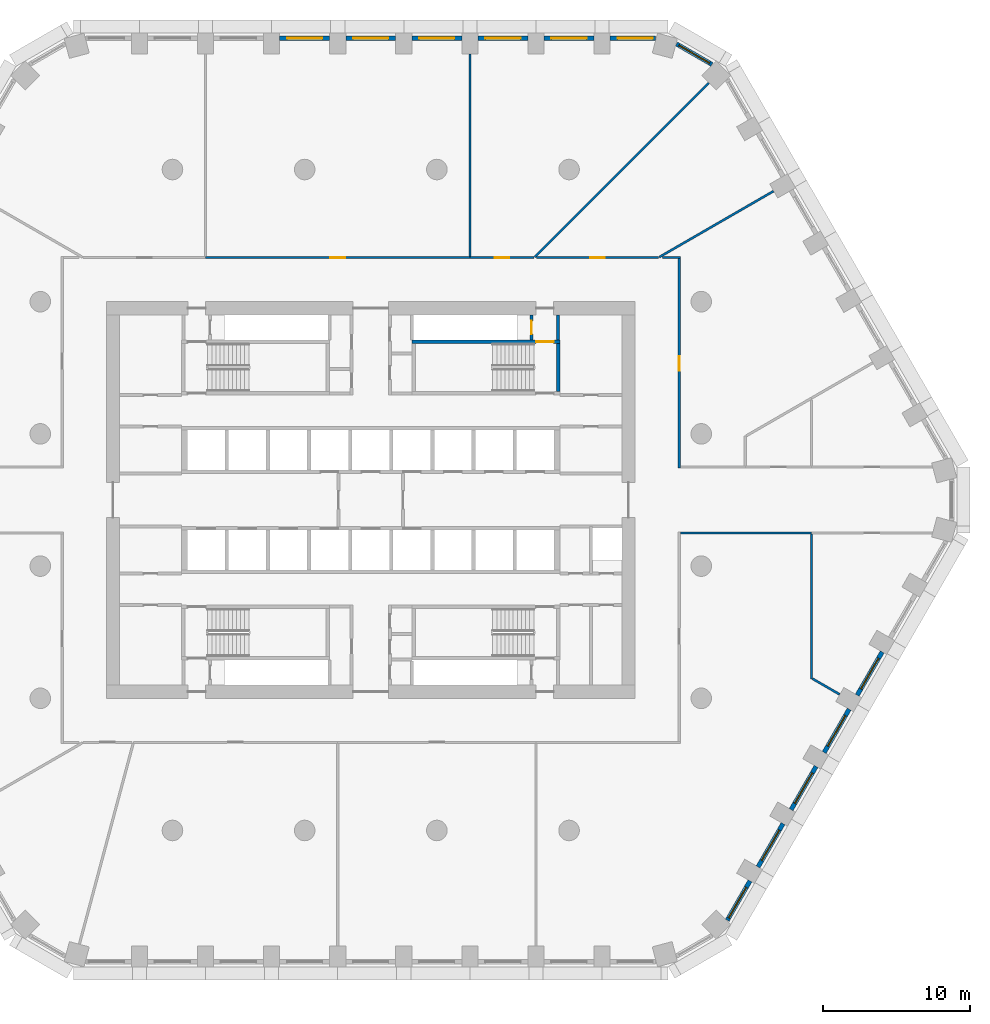
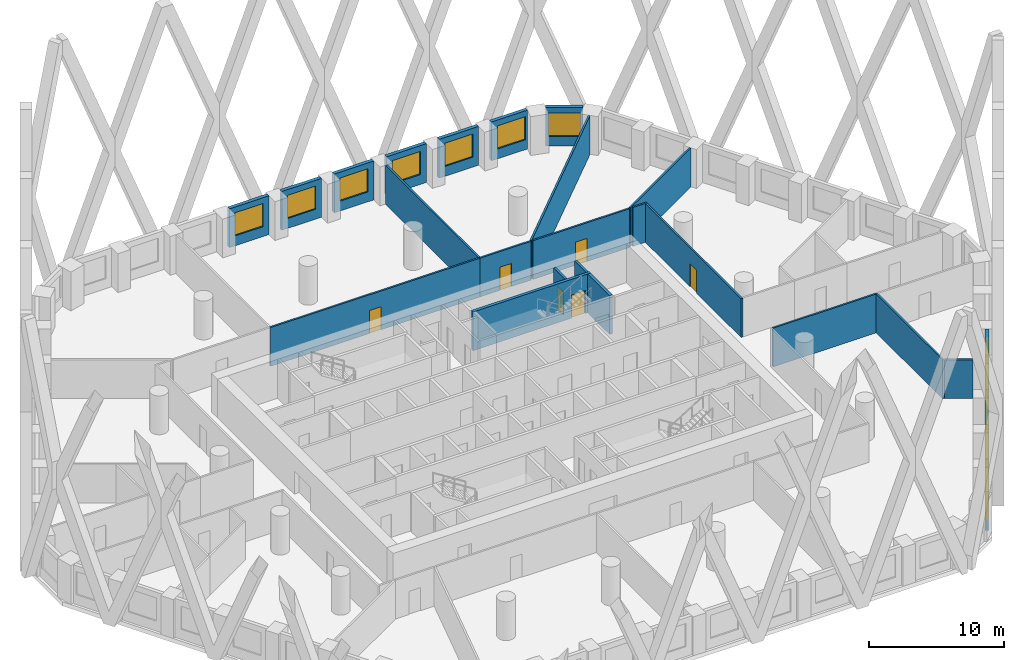
# One storey, part 7 of 18: 27 walls, 12 windows, 6 doors, 18 openings.
"""IFC4 building model written with IfcOpenShell, lengths in metres."""

import ifcopenshell
import ifcopenshell.guid

model = None  # the IFC model being written
_history = None  # IfcOwnerHistory: only IFC2X3 demands one
_inside = {}  # id of a spatial element -> (the spatial element, [elements in it])
_under = {}  # id of a project, library or spatial element -> (it, [spatial elements below it])
_declared = {}  # id of a project -> (the project, [libraries it declares])
_typed = {}  # id of a type object -> (the type object, [elements of that type])
_made_of = {}  # id of a material, layer set ... -> (it, [elements and type objects made of it])


def new_model(schema):
    """Start an empty IFC model of exactly this schema.

    Asked for "IFC4X3", IfcOpenShell would pick the latest addendum, in which some entities
    have other attributes; the version numbers below select the first issue.
    IFC2X3 requires an IfcOwnerHistory on every rooted entity: one is made here for all.
    """
    global model, _history
    if schema == "IFC4X3":
        model = ifcopenshell.file(schema_version=(4, 3, 0, 0))
    else:
        model = ifcopenshell.file(schema=schema)
    _inside.clear()
    _under.clear()
    _declared.clear()
    _typed.clear()
    _made_of.clear()
    _history = None
    if model.schema == "IFC2X3":
        org = make("IfcOrganization", Name="unknown")
        user = make(
            "IfcPersonAndOrganization",
            ThePerson=make("IfcPerson", FamilyName="unknown"),
            TheOrganization=org,
        )
        app = make(
            "IfcApplication",
            ApplicationDeveloper=org,
            Version="unknown",
            ApplicationFullName="unknown",
            ApplicationIdentifier="unknown",
        )
        _history = make(
            "IfcOwnerHistory",
            OwningUser=user,
            OwningApplication=app,
            ChangeAction="ADDED",
            CreationDate=0,
        )
    return model


def make(cls, **values):
    """One entity of the class cls with the attributes given. An attribute that is None is left unset."""
    return model.create_entity(
        cls, **{name: value for name, value in values.items() if value is not None}
    )


def rooted(cls, **values):
    """An entity with a GlobalId (a new one), such as an element, a storey or a relation."""
    return make(cls, GlobalId=ifcopenshell.guid.new(), OwnerHistory=_history, **values)


def si_unit(unit_type, name, prefix=None):
    """IfcSIUnit, for example si_unit("LENGTHUNIT", "METRE", prefix="MILLI")."""
    return make("IfcSIUnit", UnitType=unit_type, Prefix=prefix, Name=name)


def assignment(units):
    """IfcUnitAssignment: the units of a project."""
    return None if units is None else make("IfcUnitAssignment", Units=units)


def point(xyz):
    """IfcCartesianPoint."""
    return None if xyz is None else make("IfcCartesianPoint", Coordinates=xyz)


def direction(xyz):
    """IfcDirection."""
    return None if xyz is None else make("IfcDirection", DirectionRatios=xyz)


def frame(location, z_axis=None, x_axis=None):
    """IfcAxis2Placement3D, a coordinate frame: its origin and axes. An axis left out is left unset."""
    return make(
        "IfcAxis2Placement3D",
        Location=point(location),
        Axis=direction(z_axis),
        RefDirection=direction(x_axis),
    )


def frame_2d(location, x_axis=None):
    """IfcAxis2Placement2D, a coordinate frame in the plane: its origin and x axis."""
    return make(
        "IfcAxis2Placement2D", Location=point(location), RefDirection=direction(x_axis)
    )


def origin():
    """The frame at (0, 0, 0) with its axes left unset."""
    return frame((0.0, 0.0, 0.0))


def place(relative_to, where):
    """IfcLocalPlacement: puts the frame where relative to a parent placement (None: the world)."""
    return make(
        "IfcLocalPlacement", PlacementRelTo=relative_to, RelativePlacement=where
    )


def context(
    kind, dimensions, precision=None, world=None, true_north=None, identifier=None
):
    """IfcGeometricRepresentationContext, for example the 3D "Model" context."""
    return make(
        "IfcGeometricRepresentationContext",
        ContextIdentifier=identifier,
        ContextType=kind,
        CoordinateSpaceDimension=dimensions,
        Precision=precision,
        WorldCoordinateSystem=world,
        TrueNorth=true_north,
    )


def subcontext(parent, identifier, kind, view, scale=None):
    """IfcGeometricRepresentationSubContext, for example "Body" below "Model"."""
    return make(
        "IfcGeometricRepresentationSubContext",
        ContextIdentifier=identifier,
        ContextType=kind,
        ParentContext=parent,
        TargetScale=scale,
        TargetView=view,
    )


def project(units=None, contexts=None):
    """IfcProject with its units and contexts."""
    return rooted(
        "IfcProject",
        Name="project",
        RepresentationContexts=contexts,
        UnitsInContext=assignment(units),
    )


def spatial(cls, under=None, at=None, **own):
    """A site, building, storey or space (cls), placed at a placement, below another one or the project."""
    s = rooted(cls, ObjectPlacement=at, **own)
    if under is not None:
        _under.setdefault(under.id(), (under, []))[1].append(s)
    return s


def profile(cls, at=None, kind="AREA", **sizes):
    """A parametric profile (cls). Its sizes go by their IFC names, for example OverallWidth=200.0."""
    return make(cls, ProfileType=kind, Position=at, **sizes)


def rectangle(**sizes):
    """IfcRectangleProfileDef."""
    return profile("IfcRectangleProfileDef", **sizes)


def extrude(swept, where, along, depth):
    """IfcExtrudedAreaSolid: the profile swept, set in the frame where, extruded along a direction by depth."""
    return make(
        "IfcExtrudedAreaSolid",
        SweptArea=swept,
        Position=where,
        ExtrudedDirection=direction(along),
        Depth=depth,
    )


def shape(context_of_items, identifier, shape_type, items):
    """IfcShapeRepresentation: the items that make up one representation, for example the "Body"."""
    return make(
        "IfcShapeRepresentation",
        ContextOfItems=context_of_items,
        RepresentationIdentifier=identifier,
        RepresentationType=shape_type,
        Items=items,
    )


def material(Name=None, Category=None):
    """IfcMaterial."""
    return make("IfcMaterial", Name=Name, Category=Category)


def layer(
    of_material, thickness, ventilated=None, Name=None, Category=None, Priority=None
):
    """IfcMaterialLayer: one layer of a wall or slab, of a material (None: an air gap)."""
    return make(
        "IfcMaterialLayer",
        Material=of_material,
        LayerThickness=thickness,
        IsVentilated=ventilated,
        Name=Name,
        Category=Category,
        Priority=Priority,
    )


def layer_set(layers, Name=None):
    """IfcMaterialLayerSet."""
    return make("IfcMaterialLayerSet", MaterialLayers=layers, LayerSetName=Name)


def made_of(thing, what):
    """Note that an element or type object is made of a material, layer set ...; save() writes the relation."""
    if what is not None:
        _made_of.setdefault(what.id(), (what, []))[1].append(thing)
    return thing


def type_object(cls, material=None, **own):
    """A type object (cls), such as IfcWallType, which elements share."""
    return made_of(rooted(cls, **own), material)


def element(
    cls,
    number,
    at=None,
    inside=None,
    cuts=None,
    type_object=None,
    material=None,
    context=None,
    identifier="Body",
    shape_type=None,
    held_by="IfcProductDefinitionShape",
    body=None,
    shapes=None,
    **own,
):
    """One element of the class cls, such as IfcWall. Its Tag is "e" and its number.

    at: its placement. inside: the storey or other place that contains it. cuts: it is an
    opening in that element (IfcRelVoidsElement). A single representation is given by context,
    identifier, shape_type and body (its items); several are given by shapes. held_by: the class
    of the entity that holds the representations. save() writes the other relations.
    """
    e = rooted(cls, Tag="e%d" % number, ObjectPlacement=at, **own)
    if body is not None:
        shapes = [shape(context, identifier, shape_type, body)]
    if shapes is not None:
        e.Representation = make(held_by, Representations=shapes)
    if inside is not None:
        _inside.setdefault(inside.id(), (inside, []))[1].append(e)
    if cuts is not None:
        rooted(
            "IfcRelVoidsElement", RelatingBuildingElement=cuts, RelatedOpeningElement=e
        )
    if type_object is not None:
        _typed.setdefault(type_object.id(), (type_object, []))[1].append(e)
    return made_of(e, material)


def fill(opening, filler):
    """IfcRelFillsElement: the door or window that sits in an opening."""
    return rooted(
        "IfcRelFillsElement",
        RelatingOpeningElement=opening,
        RelatedBuildingElement=filler,
    )


def aggregate(whole, parts):
    """IfcRelAggregates: a whole, such as a stair, and the parts it consists of."""
    return rooted("IfcRelAggregates", RelatingObject=whole, RelatedObjects=parts)


def save(model, path):
    """Write the relations noted so far, then the file.

    IfcRelAggregates (storeys below a building ...), IfcRelContainedInSpatialStructure (elements
    in a storey), IfcRelDefinesByType, IfcRelAssociatesMaterial and IfcRelDeclares: one each for
    every whole, place, type object, material and project.
    """
    for whole, parts in _under.values():
        aggregate(whole, parts)
    for where, things in _inside.values():
        rooted(
            "IfcRelContainedInSpatialStructure",
            RelatedElements=things,
            RelatingStructure=where,
        )
    for kind, things in _typed.values():
        rooted("IfcRelDefinesByType", RelatedObjects=things, RelatingType=kind)
    for what, things in _made_of.values():
        rooted("IfcRelAssociatesMaterial", RelatedObjects=things, RelatingMaterial=what)
    for by, libraries in _declared.values():
        rooted("IfcRelDeclares", RelatingContext=by, RelatedDefinitions=libraries)
    model.write(path)


model = new_model("IFC4")

# Units and contexts
model_context = context("Model", 3, precision=1e-05, world=origin(), true_north=direction((0.0, 1.0)))
body_context = subcontext(model_context, "Body", "Model", "MODEL_VIEW")
ifc_project = project(units=[si_unit("LENGTHUNIT", "METRE"), si_unit("AREAUNIT", "SQUARE_METRE"), si_unit("VOLUMEUNIT", "CUBIC_METRE"), si_unit("PLANEANGLEUNIT", "RADIAN"), si_unit("MASSUNIT", "GRAM", prefix="KILO")], contexts=[model_context])

# Site, building, storey
site_placement = place(None, origin())
site = spatial("IfcSite", under=ifc_project, at=site_placement, CompositionType="ELEMENT")
building_placement = place(site_placement, origin())
building = spatial("IfcBuilding", under=site, at=building_placement, Name="Dhurran Vertical Campus", CompositionType="ELEMENT")
storey_placement = place(building_placement, frame((0.0, 0.0, 30.0)))
storey = spatial("IfcBuildingStorey", under=building, at=storey_placement, Name="L06", CompositionType="ELEMENT", Elevation=30.0)

# Wall, opening, window
ifc_material_1 = material(Name="Precast concrete C50/60", Category="concrete")
ifc_layer_1 = layer(ifc_material_1, 0.300048828125)
ifc_layer_set_1 = layer_set([ifc_layer_1], Name="Precast concrete C50/60")
wall_type_1 = type_object("IfcWallType", Name="Precast spandrel wall 300", PredefinedType="SOLIDWALL", material=ifc_layer_set_1)
wall_1_placement = place(storey_placement, frame((24.2734375, -28.611083984375, 0.0), z_axis=(0.0, 0.0, 1.0), x_axis=(0.499995950774, 0.866027741594, 0.0)))
wall_1 = element("IfcWall", 1, at=wall_1_placement, inside=storey, type_object=wall_type_1, Name="EW1 L06.10", PredefinedType="SOLIDWALL", context=body_context, shape_type="SweptSolid", body=[
    extrude(rectangle(XDim=3.0908203125, YDim=0.300048828125, at=frame_2d((1.54541015625, 0.0))), origin(), (0.0, 0.0, 1.0), 3.52490234375),
])
opening_1_placement = place(wall_1_placement, frame((0.191162109375, 0.0, 0.89990234375)))
opening_1 = element("IfcOpeningElement", 2, at=opening_1_placement, cuts=wall_1, Name="Opening WT1", PredefinedType="OPENING", context=body_context, shape_type="SweptSolid", body=[
    extrude(rectangle(XDim=2.39990234375, YDim=2.10009765625, at=frame_2d((1.199951171875, 1.050048828125))), frame((0.0, 0.159912109375, 0.0), z_axis=(0.0, -1.0, 0.0), x_axis=(1.0, 0.0, 0.0)), (0.0, 0.0, 1.0), 0.320068359375),
])
ifc_material_2 = material(Name="Aluminium frame with solar-control glass", Category="aluminium")
window_type = type_object("IfcWindowType", Name="Punched window 2400 x 2100", PartitioningType="SINGLE_PANEL", PredefinedType="WINDOW", material=ifc_material_2)
window_1_placement = place(opening_1_placement, origin())
window_1 = element("IfcWindow", 3, at=window_1_placement, inside=storey, type_object=window_type, Name="WT1 L06.10", OverallHeight=2.10009765625, OverallWidth=2.39990234375, PartitioningType="SINGLE_PANEL", PredefinedType="WINDOW", context=body_context, shape_type="SweptSolid", body=[
    extrude(rectangle(XDim=2.39990234375, YDim=2.10009765625, at=frame_2d((1.199951171875, 1.050048828125))), frame((0.0, 0.030029296875, 0.0), z_axis=(0.0, -1.0, 0.0), x_axis=(1.0, 0.0, 0.0)), (0.0, 0.0, 1.0), 0.06005859375),
])
fill(opening_1, window_1)

wall_2_placement = place(storey_placement, frame((26.369384765625, -24.98095703125, 0.0), z_axis=(0.0, 0.0, 1.0), x_axis=(0.499993955907, 0.866028893315, 0.0)))
wall_2 = element("IfcWall", 4, at=wall_2_placement, inside=storey, type_object=wall_type_1, Name="EW1 L06.11", PredefinedType="SOLIDWALL", context=body_context, shape_type="SweptSolid", body=[
    extrude(rectangle(XDim=3.39892578125, YDim=0.300048828125, at=frame_2d((1.699462890625, 0.0))), origin(), (0.0, 0.0, 1.0), 3.52490234375),
])
opening_2_placement = place(wall_2_placement, frame((0.49951171875, 0.0, 0.89990234375)))
opening_2 = element("IfcOpeningElement", 5, at=opening_2_placement, cuts=wall_2, Name="Opening WT1", PredefinedType="OPENING", context=body_context, shape_type="SweptSolid", body=[
    extrude(rectangle(XDim=2.39990234375, YDim=2.10009765625, at=frame_2d((1.199951171875, 1.050048828125))), frame((0.0, 0.159912109375, 0.0), z_axis=(0.0, -1.0, 0.0), x_axis=(1.0, 0.0, 0.0)), (0.0, 0.0, 1.0), 0.320068359375),
])
window_2_placement = place(opening_2_placement, origin())
window_2 = element("IfcWindow", 6, at=window_2_placement, inside=storey, type_object=window_type, Name="WT1 L06.11", OverallHeight=2.10009765625, OverallWidth=2.39990234375, PartitioningType="SINGLE_PANEL", PredefinedType="WINDOW", context=body_context, shape_type="SweptSolid", body=[
    extrude(rectangle(XDim=2.39990234375, YDim=2.10009765625, at=frame_2d((1.199951171875, 1.050048828125))), frame((0.0, 0.030029296875, 0.0), z_axis=(0.0, -1.0, 0.0), x_axis=(1.0, 0.0, 0.0)), (0.0, 0.0, 1.0), 0.06005859375),
])
fill(opening_2, window_2)

wall_3_placement = place(storey_placement, frame((28.619384765625, -21.083740234375, 0.0), z_axis=(0.0, 0.0, 1.0), x_axis=(0.499993955907, 0.866028893315, 0.0)))
wall_3 = element("IfcWall", 7, at=wall_3_placement, inside=storey, type_object=wall_type_1, Name="EW1 L06.12", PredefinedType="SOLIDWALL", context=body_context, shape_type="SweptSolid", body=[
    extrude(rectangle(XDim=3.39892578125, YDim=0.300048828125, at=frame_2d((1.699462890625, 0.0))), origin(), (0.0, 0.0, 1.0), 3.52490234375),
])
opening_3_placement = place(wall_3_placement, frame((0.49951171875, 0.0, 0.89990234375)))
opening_3 = element("IfcOpeningElement", 8, at=opening_3_placement, cuts=wall_3, Name="Opening WT1", PredefinedType="OPENING", context=body_context, shape_type="SweptSolid", body=[
    extrude(rectangle(XDim=2.39990234375, YDim=2.10009765625, at=frame_2d((1.199951171875, 1.050048828125))), frame((0.0, 0.159912109375, 0.0), z_axis=(0.0, -1.0, 0.0), x_axis=(1.0, 0.0, 0.0)), (0.0, 0.0, 1.0), 0.320068359375),
])
window_3_placement = place(opening_3_placement, origin())
window_3 = element("IfcWindow", 9, at=window_3_placement, inside=storey, type_object=window_type, Name="WT1 L06.12", OverallHeight=2.10009765625, OverallWidth=2.39990234375, PartitioningType="SINGLE_PANEL", PredefinedType="WINDOW", context=body_context, shape_type="SweptSolid", body=[
    extrude(rectangle(XDim=2.39990234375, YDim=2.10009765625, at=frame_2d((1.199951171875, 1.050048828125))), frame((0.0, 0.030029296875, 0.0), z_axis=(0.0, -1.0, 0.0), x_axis=(1.0, 0.0, 0.0)), (0.0, 0.0, 1.0), 0.06005859375),
])
fill(opening_3, window_3)

wall_4_placement = place(storey_placement, frame((30.869384765625, -17.186767578125, 0.0), z_axis=(0.0, 0.0, 1.0), x_axis=(0.499993955907, 0.866028893315, 0.0)))
wall_4 = element("IfcWall", 10, at=wall_4_placement, inside=storey, type_object=wall_type_1, Name="EW1 L06.13", PredefinedType="SOLIDWALL", context=body_context, shape_type="SweptSolid", body=[
    extrude(rectangle(XDim=3.39892578125, YDim=0.300048828125, at=frame_2d((1.699462890625, 0.0))), origin(), (0.0, 0.0, 1.0), 3.52490234375),
])
opening_4_placement = place(wall_4_placement, frame((0.49951171875, 0.0, 0.89990234375)))
opening_4 = element("IfcOpeningElement", 11, at=opening_4_placement, cuts=wall_4, Name="Opening WT1", PredefinedType="OPENING", context=body_context, shape_type="SweptSolid", body=[
    extrude(rectangle(XDim=2.39990234375, YDim=2.10009765625, at=frame_2d((1.199951171875, 1.050048828125))), frame((0.0, 0.159912109375, 0.0), z_axis=(0.0, -1.0, 0.0), x_axis=(1.0, 0.0, 0.0)), (0.0, 0.0, 1.0), 0.320068359375),
])
window_4_placement = place(opening_4_placement, origin())
window_4 = element("IfcWindow", 12, at=window_4_placement, inside=storey, type_object=window_type, Name="WT1 L06.13", OverallHeight=2.10009765625, OverallWidth=2.39990234375, PartitioningType="SINGLE_PANEL", PredefinedType="WINDOW", context=body_context, shape_type="SweptSolid", body=[
    extrude(rectangle(XDim=2.39990234375, YDim=2.10009765625, at=frame_2d((1.199951171875, 1.050048828125))), frame((0.0, 0.030029296875, 0.0), z_axis=(0.0, -1.0, 0.0), x_axis=(1.0, 0.0, 0.0)), (0.0, 0.0, 1.0), 0.06005859375),
])
fill(opening_4, window_4)

wall_5_placement = place(storey_placement, frame((33.119384765625, -13.28955078125, 0.0), z_axis=(0.0, 0.0, 1.0), x_axis=(0.499993955907, 0.866028893315, 0.0)))
wall_5 = element("IfcWall", 13, at=wall_5_placement, inside=storey, type_object=wall_type_1, Name="EW1 L06.14", PredefinedType="SOLIDWALL", context=body_context, shape_type="SweptSolid", body=[
    extrude(rectangle(XDim=3.39892578125, YDim=0.300048828125, at=frame_2d((1.699462890625, 0.0))), origin(), (0.0, 0.0, 1.0), 3.52490234375),
])
opening_5_placement = place(wall_5_placement, frame((0.49951171875, 0.0, 0.89990234375)))
opening_5 = element("IfcOpeningElement", 14, at=opening_5_placement, cuts=wall_5, Name="Opening WT1", PredefinedType="OPENING", context=body_context, shape_type="SweptSolid", body=[
    extrude(rectangle(XDim=2.39990234375, YDim=2.10009765625, at=frame_2d((1.199951171875, 1.050048828125))), frame((0.0, 0.159912109375, 0.0), z_axis=(0.0, -1.0, 0.0), x_axis=(1.0, 0.0, 0.0)), (0.0, 0.0, 1.0), 0.320068359375),
])
window_5_placement = place(opening_5_placement, origin())
window_5 = element("IfcWindow", 15, at=window_5_placement, inside=storey, type_object=window_type, Name="WT1 L06.14", OverallHeight=2.10009765625, OverallWidth=2.39990234375, PartitioningType="SINGLE_PANEL", PredefinedType="WINDOW", context=body_context, shape_type="SweptSolid", body=[
    extrude(rectangle(XDim=2.39990234375, YDim=2.10009765625, at=frame_2d((1.199951171875, 1.050048828125))), frame((0.0, 0.030029296875, 0.0), z_axis=(0.0, -1.0, 0.0), x_axis=(1.0, 0.0, 0.0)), (0.0, 0.0, 1.0), 0.06005859375),
])
fill(opening_5, window_5)

wall_6_placement = place(storey_placement, frame((23.228271484375, 29.656005859375, 0.0), z_axis=(0.0, 0.0, 1.0), x_axis=(-0.866020456713, 0.500008568482, 0.0)))
wall_6 = element("IfcWall", 16, at=wall_6_placement, inside=storey, type_object=wall_type_1, Name="EW1 L06.25", PredefinedType="SOLIDWALL", context=body_context, shape_type="SweptSolid", body=[
    extrude(rectangle(XDim=2.7822265625, YDim=0.300048828125, at=frame_2d((1.39111328125, 0.0))), origin(), (0.0, 0.0, 1.0), 3.52490234375),
])
opening_6_placement = place(wall_6_placement, frame((0.191162109375, 0.0, 0.89990234375)))
opening_6 = element("IfcOpeningElement", 17, at=opening_6_placement, cuts=wall_6, Name="Opening WT1", PredefinedType="OPENING", context=body_context, shape_type="SweptSolid", body=[
    extrude(rectangle(XDim=2.39990234375, YDim=2.10009765625, at=frame_2d((1.199951171875, 1.050048828125))), frame((0.0, 0.159912109375, 0.0), z_axis=(0.0, -1.0, 0.0), x_axis=(1.0, 0.0, 0.0)), (0.0, 0.0, 1.0), 0.320068359375),
])
window_6_placement = place(opening_6_placement, origin())
window_6 = element("IfcWindow", 18, at=window_6_placement, inside=storey, type_object=window_type, Name="WT1 L06.25", OverallHeight=2.10009765625, OverallWidth=2.39990234375, PartitioningType="SINGLE_PANEL", PredefinedType="WINDOW", context=body_context, shape_type="SweptSolid", body=[
    extrude(rectangle(XDim=2.39990234375, YDim=2.10009765625, at=frame_2d((1.199951171875, 1.050048828125))), frame((0.0, 0.030029296875, 0.0), z_axis=(0.0, -1.0, 0.0), x_axis=(1.0, 0.0, 0.0)), (0.0, 0.0, 1.0), 0.06005859375),
])
fill(opening_6, window_6)

wall_7_placement = place(storey_placement, frame((19.39111328125, 31.4296875, 0.0), z_axis=(0.0, 0.0, 1.0), x_axis=(-1.0, 0.0, 0.0)))
wall_7 = element("IfcWall", 19, at=wall_7_placement, inside=storey, type_object=wall_type_1, Name="EW1 L06.26", PredefinedType="SOLIDWALL", context=body_context, shape_type="SweptSolid", body=[
    extrude(rectangle(XDim=3.090576171875, YDim=0.300048828125, at=frame_2d((1.54541015625, 0.0))), origin(), (0.0, 0.0, 1.0), 3.52490234375),
])
opening_7_placement = place(wall_7_placement, frame((0.191162109375, 0.0, 0.89990234375)))
opening_7 = element("IfcOpeningElement", 20, at=opening_7_placement, cuts=wall_7, Name="Opening WT1", PredefinedType="OPENING", context=body_context, shape_type="SweptSolid", body=[
    extrude(rectangle(XDim=2.39990234375, YDim=2.10009765625, at=frame_2d((1.199951171875, 1.050048828125))), frame((0.0, 0.159912109375, 0.0), z_axis=(0.0, -1.0, 0.0), x_axis=(1.0, 0.0, 0.0)), (0.0, 0.0, 1.0), 0.320068359375),
])
window_7_placement = place(opening_7_placement, origin())
window_7 = element("IfcWindow", 21, at=window_7_placement, inside=storey, type_object=window_type, Name="WT1 L06.26", OverallHeight=2.10009765625, OverallWidth=2.39990234375, PartitioningType="SINGLE_PANEL", PredefinedType="WINDOW", context=body_context, shape_type="SweptSolid", body=[
    extrude(rectangle(XDim=2.39990234375, YDim=2.10009765625, at=frame_2d((1.199951171875, 1.050048828125))), frame((0.0, 0.030029296875, 0.0), z_axis=(0.0, -1.0, 0.0), x_axis=(1.0, 0.0, 0.0)), (0.0, 0.0, 1.0), 0.06005859375),
])
fill(opening_7, window_7)

wall_8_placement = place(storey_placement, frame((15.199462890625, 31.4296875, 0.0), z_axis=(0.0, 0.0, 1.0), x_axis=(-1.0, 0.0, 0.0)))
wall_8 = element("IfcWall", 22, at=wall_8_placement, inside=storey, type_object=wall_type_1, Name="EW1 L06.27", PredefinedType="SOLIDWALL", context=body_context, shape_type="SweptSolid", body=[
    extrude(rectangle(XDim=3.39892578125, YDim=0.300048828125, at=frame_2d((1.699462890625, 0.0))), origin(), (0.0, 0.0, 1.0), 3.52490234375),
])
opening_8_placement = place(wall_8_placement, frame((0.49951171875, 0.0, 0.89990234375)))
opening_8 = element("IfcOpeningElement", 23, at=opening_8_placement, cuts=wall_8, Name="Opening WT1", PredefinedType="OPENING", context=body_context, shape_type="SweptSolid", body=[
    extrude(rectangle(XDim=2.39990234375, YDim=2.10009765625, at=frame_2d((1.199951171875, 1.050048828125))), frame((0.0, 0.159912109375, 0.0), z_axis=(0.0, -1.0, 0.0), x_axis=(1.0, 0.0, 0.0)), (0.0, 0.0, 1.0), 0.320068359375),
])
window_8_placement = place(opening_8_placement, origin())
window_8 = element("IfcWindow", 24, at=window_8_placement, inside=storey, type_object=window_type, Name="WT1 L06.27", OverallHeight=2.10009765625, OverallWidth=2.39990234375, PartitioningType="SINGLE_PANEL", PredefinedType="WINDOW", context=body_context, shape_type="SweptSolid", body=[
    extrude(rectangle(XDim=2.39990234375, YDim=2.10009765625, at=frame_2d((1.199951171875, 1.050048828125))), frame((0.0, 0.030029296875, 0.0), z_axis=(0.0, -1.0, 0.0), x_axis=(1.0, 0.0, 0.0)), (0.0, 0.0, 1.0), 0.06005859375),
])
fill(opening_8, window_8)

wall_9_placement = place(storey_placement, frame((10.699462890625, 31.4296875, 0.0), z_axis=(0.0, 0.0, 1.0), x_axis=(-1.0, 0.0, 0.0)))
wall_9 = element("IfcWall", 25, at=wall_9_placement, inside=storey, type_object=wall_type_1, Name="EW1 L06.28", PredefinedType="SOLIDWALL", context=body_context, shape_type="SweptSolid", body=[
    extrude(rectangle(XDim=3.39892578125, YDim=0.300048828125, at=frame_2d((1.699462890625, 0.0))), origin(), (0.0, 0.0, 1.0), 3.52490234375),
])
opening_9_placement = place(wall_9_placement, frame((0.49951171875, 0.0, 0.89990234375)))
opening_9 = element("IfcOpeningElement", 26, at=opening_9_placement, cuts=wall_9, Name="Opening WT1", PredefinedType="OPENING", context=body_context, shape_type="SweptSolid", body=[
    extrude(rectangle(XDim=2.39990234375, YDim=2.10009765625, at=frame_2d((1.199951171875, 1.050048828125))), frame((0.0, 0.159912109375, 0.0), z_axis=(0.0, -1.0, 0.0), x_axis=(1.0, 0.0, 0.0)), (0.0, 0.0, 1.0), 0.320068359375),
])
window_9_placement = place(opening_9_placement, origin())
window_9 = element("IfcWindow", 27, at=window_9_placement, inside=storey, type_object=window_type, Name="WT1 L06.28", OverallHeight=2.10009765625, OverallWidth=2.39990234375, PartitioningType="SINGLE_PANEL", PredefinedType="WINDOW", context=body_context, shape_type="SweptSolid", body=[
    extrude(rectangle(XDim=2.39990234375, YDim=2.10009765625, at=frame_2d((1.199951171875, 1.050048828125))), frame((0.0, 0.030029296875, 0.0), z_axis=(0.0, -1.0, 0.0), x_axis=(1.0, 0.0, 0.0)), (0.0, 0.0, 1.0), 0.06005859375),
])
fill(opening_9, window_9)

wall_10_placement = place(storey_placement, frame((6.199462890625, 31.4296875, 0.0), z_axis=(0.0, 0.0, 1.0), x_axis=(-1.0, 0.0, 0.0)))
wall_10 = element("IfcWall", 28, at=wall_10_placement, inside=storey, type_object=wall_type_1, Name="EW1 L06.29", PredefinedType="SOLIDWALL", context=body_context, shape_type="SweptSolid", body=[
    extrude(rectangle(XDim=3.39892578125, YDim=0.300048828125, at=frame_2d((1.699462890625, 0.0))), origin(), (0.0, 0.0, 1.0), 3.52490234375),
])
opening_10_placement = place(wall_10_placement, frame((0.49951171875, 0.0, 0.89990234375)))
opening_10 = element("IfcOpeningElement", 29, at=opening_10_placement, cuts=wall_10, Name="Opening WT1", PredefinedType="OPENING", context=body_context, shape_type="SweptSolid", body=[
    extrude(rectangle(XDim=2.39990234375, YDim=2.10009765625, at=frame_2d((1.199951171875, 1.050048828125))), frame((0.0, 0.159912109375, 0.0), z_axis=(0.0, -1.0, 0.0), x_axis=(1.0, 0.0, 0.0)), (0.0, 0.0, 1.0), 0.320068359375),
])
window_10_placement = place(opening_10_placement, origin())
window_10 = element("IfcWindow", 30, at=window_10_placement, inside=storey, type_object=window_type, Name="WT1 L06.29", OverallHeight=2.10009765625, OverallWidth=2.39990234375, PartitioningType="SINGLE_PANEL", PredefinedType="WINDOW", context=body_context, shape_type="SweptSolid", body=[
    extrude(rectangle(XDim=2.39990234375, YDim=2.10009765625, at=frame_2d((1.199951171875, 1.050048828125))), frame((0.0, 0.030029296875, 0.0), z_axis=(0.0, -1.0, 0.0), x_axis=(1.0, 0.0, 0.0)), (0.0, 0.0, 1.0), 0.06005859375),
])
fill(opening_10, window_10)

wall_11_placement = place(storey_placement, frame((1.699462890625, 31.4296875, 0.0), z_axis=(0.0, 0.0, 1.0), x_axis=(-1.0, 0.0, 0.0)))
wall_11 = element("IfcWall", 31, at=wall_11_placement, inside=storey, type_object=wall_type_1, Name="EW1 L06.30", PredefinedType="SOLIDWALL", context=body_context, shape_type="SweptSolid", body=[
    extrude(rectangle(XDim=3.39892578125, YDim=0.300048828125, at=frame_2d((1.699462890625, 0.0))), origin(), (0.0, 0.0, 1.0), 3.52490234375),
])
opening_11_placement = place(wall_11_placement, frame((0.49951171875, 0.0, 0.89990234375)))
opening_11 = element("IfcOpeningElement", 32, at=opening_11_placement, cuts=wall_11, Name="Opening WT1", PredefinedType="OPENING", context=body_context, shape_type="SweptSolid", body=[
    extrude(rectangle(XDim=2.39990234375, YDim=2.10009765625, at=frame_2d((1.199951171875, 1.050048828125))), frame((0.0, 0.159912109375, 0.0), z_axis=(0.0, -1.0, 0.0), x_axis=(1.0, 0.0, 0.0)), (0.0, 0.0, 1.0), 0.320068359375),
])
window_11_placement = place(opening_11_placement, origin())
window_11 = element("IfcWindow", 33, at=window_11_placement, inside=storey, type_object=window_type, Name="WT1 L06.30", OverallHeight=2.10009765625, OverallWidth=2.39990234375, PartitioningType="SINGLE_PANEL", PredefinedType="WINDOW", context=body_context, shape_type="SweptSolid", body=[
    extrude(rectangle(XDim=2.39990234375, YDim=2.10009765625, at=frame_2d((1.199951171875, 1.050048828125))), frame((0.0, 0.030029296875, 0.0), z_axis=(0.0, -1.0, 0.0), x_axis=(1.0, 0.0, 0.0)), (0.0, 0.0, 1.0), 0.06005859375),
])
fill(opening_11, window_11)

wall_12_placement = place(storey_placement, frame((-2.800537109375, 31.4296875, 0.0), z_axis=(0.0, 0.0, 1.0), x_axis=(-1.0, 0.0, 0.0)))
wall_12 = element("IfcWall", 34, at=wall_12_placement, inside=storey, type_object=wall_type_1, Name="EW1 L06.31", PredefinedType="SOLIDWALL", context=body_context, shape_type="SweptSolid", body=[
    extrude(rectangle(XDim=3.39892578125, YDim=0.300048828125, at=frame_2d((1.699462890625, 0.0))), origin(), (0.0, 0.0, 1.0), 3.52490234375),
])
opening_12_placement = place(wall_12_placement, frame((0.49951171875, 0.0, 0.89990234375)))
opening_12 = element("IfcOpeningElement", 35, at=opening_12_placement, cuts=wall_12, Name="Opening WT1", PredefinedType="OPENING", context=body_context, shape_type="SweptSolid", body=[
    extrude(rectangle(XDim=2.39990234375, YDim=2.10009765625, at=frame_2d((1.199951171875, 1.050048828125))), frame((0.0, 0.159912109375, 0.0), z_axis=(0.0, -1.0, 0.0), x_axis=(1.0, 0.0, 0.0)), (0.0, 0.0, 1.0), 0.320068359375),
])
window_12_placement = place(opening_12_placement, origin())
window_12 = element("IfcWindow", 36, at=window_12_placement, inside=storey, type_object=window_type, Name="WT1 L06.31", OverallHeight=2.10009765625, OverallWidth=2.39990234375, PartitioningType="SINGLE_PANEL", PredefinedType="WINDOW", context=body_context, shape_type="SweptSolid", body=[
    extrude(rectangle(XDim=2.39990234375, YDim=2.10009765625, at=frame_2d((1.199951171875, 1.050048828125))), frame((0.0, 0.030029296875, 0.0), z_axis=(0.0, -1.0, 0.0), x_axis=(1.0, 0.0, 0.0)), (0.0, 0.0, 1.0), 0.06005859375),
])
fill(opening_12, window_12)

# Wall
ifc_material_3 = material(Name="Fire-rated masonry blockwork", Category="masonry")
ifc_layer_2 = layer(ifc_material_3, 0.199951171875)
ifc_layer_set_2 = layer_set([ifc_layer_2], Name="Fire-rated masonry blockwork")
wall_type_2 = type_object("IfcWallType", Name="co-FIRE-PARTITION-200", PredefinedType="PARTITIONING", material=ifc_layer_set_2)
wall_13_placement = place(storey_placement, frame((12.75, 10.89990234375, 0.0), z_axis=(0.0, 0.0, 1.0), x_axis=(0.0, 1.0, 0.0)))
element("IfcWall", 37, at=wall_13_placement, inside=storey, type_object=wall_type_2, Name="Core partition pass-ST2-o L06", PredefinedType="PARTITIONING", context=body_context, shape_type="SweptSolid", body=[
    extrude(rectangle(XDim=1.7001953125, YDim=0.199951171875, at=frame_2d((0.85009765625, 0.0))), origin(), (0.0, 0.0, 1.0), 3.52490234375),
])

# Wall, opening, door
wall_14_placement = place(storey_placement, frame((10.949951171875, 10.89990234375, 0.0), z_axis=(0.0, 0.0, 1.0), x_axis=(0.0, 1.0, 0.0)))
wall_14 = element("IfcWall", 38, at=wall_14_placement, inside=storey, type_object=wall_type_2, Name="Core partition pass-ST2-i L06", PredefinedType="PARTITIONING", context=body_context, shape_type="SweptSolid", body=[
    extrude(rectangle(XDim=1.7001953125, YDim=0.199951171875, at=frame_2d((0.85009765625, 0.0))), origin(), (0.0, 0.0, 1.0), 3.52490234375),
])
opening_13_placement = place(wall_14_placement, frame((0.39990234375, 0.0, 0.0)))
opening_13 = element("IfcOpeningElement", 39, at=opening_13_placement, cuts=wall_14, Name="Opening T01-C10", PredefinedType="OPENING", context=body_context, shape_type="SweptSolid", body=[
    extrude(rectangle(XDim=0.89990234375, YDim=2.10009765625, at=frame_2d((0.449951171875, 1.050048828125))), frame((0.0, 0.10986328125, 0.0), z_axis=(0.0, -1.0, 0.0), x_axis=(1.0, 0.0, 0.0)), (0.0, 0.0, 1.0), 0.219970703125),
])
ifc_material_4 = material(Name="Fire-rated timber door set", Category="wood")
door_type_1 = type_object("IfcDoorType", Name="co-D-ROOM 900x2100", OperationType="SINGLE_SWING_LEFT", PredefinedType="DOOR", material=ifc_material_4)
door_1_placement = place(opening_13_placement, origin())
door_1 = element("IfcDoor", 40, at=door_1_placement, inside=storey, type_object=door_type_1, Name="Riser room door L06", OperationType="SINGLE_SWING_LEFT", OverallHeight=2.10009765625, OverallWidth=0.89990234375, PredefinedType="DOOR", context=body_context, shape_type="SweptSolid", body=[
    extrude(rectangle(XDim=0.89990234375, YDim=2.10009765625, at=frame_2d((0.449951171875, 1.050048828125))), frame((0.0, 0.02490234375, 0.0), z_axis=(0.0, -1.0, 0.0), x_axis=(1.0, 0.0, 0.0)), (0.0, 0.0, 1.0), 0.050048828125),
])
fill(opening_13, door_1)

ifc_material_5 = material(Name="Concrete C40/50", Category="concrete")
ifc_layer_3 = layer(ifc_material_5, 0.25)
ifc_layer_set_3 = layer_set([ifc_layer_3], Name="Concrete C40/50")
wall_type_3 = type_object("IfcWallType", Name="co-STAIR-WALL-250", PredefinedType="SHEAR", material=ifc_layer_set_3)
wall_15_placement = place(storey_placement, frame((2.800048828125, 10.77490234375, 0.0), z_axis=(0.0, 0.0, 1.0), x_axis=(1.0, 0.0, 0.0)))
wall_15 = element("IfcWall", 41, at=wall_15_placement, inside=storey, type_object=wall_type_3, Name="Stair ST2 enclosure wall L06", PredefinedType="SHEAR", context=body_context, shape_type="SweptSolid", body=[
    extrude(rectangle(XDim=10.099853515625, YDim=0.25, at=frame_2d((5.0498046875, 0.0))), origin(), (0.0, 0.0, 1.0), 3.52490234375),
])
opening_14_placement = place(wall_15_placement, frame((8.449951171875, 0.0, 0.0)))
opening_14 = element("IfcOpeningElement", 42, at=opening_14_placement, cuts=wall_15, Name="Opening XS2", PredefinedType="OPENING", context=body_context, shape_type="SweptSolid", body=[
    extrude(rectangle(XDim=1.199951171875, YDim=2.10009765625, at=frame_2d((0.60009765625, 1.050048828125))), frame((0.0, 0.135009765625, 0.0), z_axis=(0.0, -1.0, 0.0), x_axis=(1.0, 0.0, 0.0)), (0.0, 0.0, 1.0), 0.27001953125),
])
ifc_material_6 = material(Name="Fire-rated steel door set", Category="steel")
door_type_2 = type_object("IfcDoorType", Name="co-D-STAIR-EXIT 1200x2100", OperationType="SINGLE_SWING_RIGHT", PredefinedType="DOOR", material=ifc_material_6)
door_2_placement = place(opening_14_placement, origin())
door_2 = element("IfcDoor", 43, at=door_2_placement, inside=storey, type_object=door_type_2, Name="Stair ST2 discharge door L06", OperationType="SINGLE_SWING_RIGHT", OverallHeight=2.10009765625, OverallWidth=1.199951171875, PredefinedType="DOOR", context=body_context, shape_type="SweptSolid", body=[
    extrude(rectangle(XDim=1.199951171875, YDim=2.10009765625, at=frame_2d((0.60009765625, 1.050048828125))), frame((0.0, 0.02490234375, 0.0), z_axis=(0.0, -1.0, 0.0), x_axis=(1.0, 0.0, 0.0)), (0.0, 0.0, 1.0), 0.050048828125),
])
fill(opening_14, door_2)

# Wall
wall_16_placement = place(storey_placement, frame((12.77490234375, 7.39990234375, 0.0), z_axis=(0.0, 0.0, 1.0), x_axis=(0.0, 1.0, 0.0)))
element("IfcWall", 44, at=wall_16_placement, inside=storey, type_object=wall_type_3, Name="Stair ST2 enclosure wall L06", PredefinedType="SHEAR", context=body_context, shape_type="SweptSolid", body=[
    extrude(rectangle(XDim=3.25, YDim=0.25, at=frame_2d((1.625, 0.0))), origin(), (0.0, 0.0, 1.0), 3.52490234375),
])

# Wall, opening, door
ifc_material_7 = material(Name="Gypsum board corridor wall on steel studs", Category="steel")
ifc_layer_4 = layer(ifc_material_7, 0.14990234375)
ifc_layer_set_4 = layer_set([ifc_layer_4], Name="Gypsum board corridor wall on steel studs")
wall_type_4 = type_object("IfcWallType", Name="fl-CW-150 corridor wall", PredefinedType="PARTITIONING", material=ifc_layer_set_4)
wall_17_placement = place(storey_placement, frame((6.75, 16.5, 0.0), z_axis=(0.0, 0.0, 1.0), x_axis=(-1.0, 0.0, 0.0)))
wall_17 = element("IfcWall", 45, at=wall_17_placement, inside=storey, type_object=wall_type_4, Name="Partition 06-26", PredefinedType="PARTITIONING", context=body_context, shape_type="SweptSolid", body=[
    extrude(rectangle(XDim=18.0, YDim=0.14990234375, at=frame_2d((9.0, 0.0))), origin(), (0.0, 0.0, 1.0), 3.52490234375),
])
opening_15_placement = place(wall_17_placement, frame((8.5, 0.0, 0.0)))
opening_15 = element("IfcOpeningElement", 46, at=opening_15_placement, cuts=wall_17, Name="Opening T01.10", PredefinedType="OPENING", context=body_context, shape_type="SweptSolid", body=[
    extrude(rectangle(XDim=1.0, YDim=2.10009765625, at=frame_2d((0.5, 1.050048828125))), frame((0.0, 0.0849609375, 0.0), z_axis=(0.0, -1.0, 0.0), x_axis=(1.0, 0.0, 0.0)), (0.0, 0.0, 1.0), 0.169921875),
])
ifc_material_8 = material(Name="Solid-core timber door set, fire-rated", Category="wood")
door_type_3 = type_object("IfcDoorType", Name="fl-D-1000x2100", OperationType="SINGLE_SWING_LEFT", PredefinedType="DOOR", material=ifc_material_8)
door_3_placement = place(opening_15_placement, origin())
door_3 = element("IfcDoor", 47, at=door_3_placement, inside=storey, type_object=door_type_3, Name="Door 06.10", OperationType="SINGLE_SWING_LEFT", OverallHeight=2.10009765625, OverallWidth=1.0, PredefinedType="DOOR", context=body_context, shape_type="SweptSolid", body=[
    extrude(rectangle(XDim=1.0, YDim=2.10009765625, at=frame_2d((0.5, 1.050048828125))), frame((0.0, 0.02490234375, 0.0), z_axis=(0.0, -1.0, 0.0), x_axis=(1.0, 0.0, 0.0)), (0.0, 0.0, 1.0), 0.050048828125),
])
fill(opening_15, door_3)

wall_18_placement = place(storey_placement, frame((11.116943359375, 16.5, 0.0), z_axis=(0.0, 0.0, 1.0), x_axis=(-1.0, 0.0, 0.0)))
wall_18 = element("IfcWall", 48, at=wall_18_placement, inside=storey, type_object=wall_type_4, Name="Partition 06-30", PredefinedType="PARTITIONING", context=body_context, shape_type="SweptSolid", body=[
    extrude(rectangle(XDim=4.366943359375, YDim=0.14990234375, at=frame_2d((2.18359375, 0.0))), origin(), (0.0, 0.0, 1.0), 3.52490234375),
])
opening_16_placement = place(wall_18_placement, frame((1.68359375, 0.0, 0.0)))
opening_16 = element("IfcOpeningElement", 49, at=opening_16_placement, cuts=wall_18, Name="Opening T01.12", PredefinedType="OPENING", context=body_context, shape_type="SweptSolid", body=[
    extrude(rectangle(XDim=1.0, YDim=2.10009765625, at=frame_2d((0.5, 1.050048828125))), frame((0.0, 0.0849609375, 0.0), z_axis=(0.0, -1.0, 0.0), x_axis=(1.0, 0.0, 0.0)), (0.0, 0.0, 1.0), 0.169921875),
])
door_4_placement = place(opening_16_placement, origin())
door_4 = element("IfcDoor", 50, at=door_4_placement, inside=storey, type_object=door_type_3, Name="Door 06.12", OperationType="SINGLE_SWING_LEFT", OverallHeight=2.10009765625, OverallWidth=1.0, PredefinedType="DOOR", context=body_context, shape_type="SweptSolid", body=[
    extrude(rectangle(XDim=1.0, YDim=2.10009765625, at=frame_2d((0.5, 1.050048828125))), frame((0.0, 0.02490234375, 0.0), z_axis=(0.0, -1.0, 0.0), x_axis=(1.0, 0.0, 0.0)), (0.0, 0.0, 1.0), 0.050048828125),
])
fill(opening_16, door_4)

wall_19_placement = place(storey_placement, frame((19.5791015625, 16.5, 0.0), z_axis=(0.0, 0.0, 1.0), x_axis=(-1.0, 0.0, 0.0)))
wall_19 = element("IfcWall", 51, at=wall_19_placement, inside=storey, type_object=wall_type_4, Name="Partition 06-31", PredefinedType="PARTITIONING", context=body_context, shape_type="SweptSolid", body=[
    extrude(rectangle(XDim=8.287109375, YDim=0.14990234375, at=frame_2d((4.1435546875, 0.0))), origin(), (0.0, 0.0, 1.0), 3.52490234375),
])
opening_17_placement = place(wall_19_placement, frame((3.6435546875, 0.0, 0.0)))
opening_17 = element("IfcOpeningElement", 52, at=opening_17_placement, cuts=wall_19, Name="Opening T01.13", PredefinedType="OPENING", context=body_context, shape_type="SweptSolid", body=[
    extrude(rectangle(XDim=1.0, YDim=2.10009765625, at=frame_2d((0.5, 1.050048828125))), frame((0.0, 0.0849609375, 0.0), z_axis=(0.0, -1.0, 0.0), x_axis=(1.0, 0.0, 0.0)), (0.0, 0.0, 1.0), 0.169921875),
])
door_5_placement = place(opening_17_placement, origin())
door_5 = element("IfcDoor", 53, at=door_5_placement, inside=storey, type_object=door_type_3, Name="Door 06.13", OperationType="SINGLE_SWING_RIGHT", OverallHeight=2.10009765625, OverallWidth=1.0, PredefinedType="DOOR", context=body_context, shape_type="SweptSolid", body=[
    extrude(rectangle(XDim=1.0, YDim=2.10009765625, at=frame_2d((0.5, 1.050048828125))), frame((0.0, 0.02490234375, 0.0), z_axis=(0.0, -1.0, 0.0), x_axis=(1.0, 0.0, 0.0)), (0.0, 0.0, 1.0), 0.050048828125),
])
fill(opening_17, door_5)

# Walls
wall_20_placement = place(storey_placement, frame((21.074951171875, 16.5, 0.0), z_axis=(0.0, 0.0, 1.0), x_axis=(-1.0, 0.0, 0.0)))
element("IfcWall", 54, at=wall_20_placement, inside=storey, type_object=wall_type_4, Name="Partition 06-35", PredefinedType="PARTITIONING", context=body_context, shape_type="SweptSolid", body=[
    extrude(rectangle(XDim=1.220947265625, YDim=0.14990234375, at=frame_2d((0.6103515625, 0.0))), origin(), (0.0, 0.0, 1.0), 3.52490234375),
])
wall_21_placement = place(storey_placement, frame((30.0, -2.25, 0.0), z_axis=(0.0, 0.0, 1.0), x_axis=(-1.0, 0.0, 0.0)))
element("IfcWall", 55, at=wall_21_placement, inside=storey, type_object=wall_type_4, Name="Partition 06-38", PredefinedType="PARTITIONING", context=body_context, shape_type="SweptSolid", body=[
    extrude(rectangle(XDim=8.925048828125, YDim=0.14990234375, at=frame_2d((4.46240234375, 0.0))), origin(), (0.0, 0.0, 1.0), 3.52490234375),
])

# Wall, opening, door
wall_22_placement = place(storey_placement, frame((21.0, 2.175048828125, 0.0), z_axis=(0.0, 0.0, 1.0), x_axis=(0.0, 1.0, 0.0)))
wall_22 = element("IfcWall", 56, at=wall_22_placement, inside=storey, type_object=wall_type_4, Name="Partition 06-39", PredefinedType="PARTITIONING", context=body_context, shape_type="SweptSolid", body=[
    extrude(rectangle(XDim=14.25, YDim=0.14990234375, at=frame_2d((7.125, 0.0))), origin(), (0.0, 0.0, 1.0), 3.52490234375),
])
opening_18_placement = place(wall_22_placement, frame((6.625, 0.0, 0.0)))
opening_18 = element("IfcOpeningElement", 57, at=opening_18_placement, cuts=wall_22, Name="Opening T01.15", PredefinedType="OPENING", context=body_context, shape_type="SweptSolid", body=[
    extrude(rectangle(XDim=1.0, YDim=2.10009765625, at=frame_2d((0.5, 1.050048828125))), frame((0.0, 0.0849609375, 0.0), z_axis=(0.0, -1.0, 0.0), x_axis=(1.0, 0.0, 0.0)), (0.0, 0.0, 1.0), 0.169921875),
])
door_6_placement = place(opening_18_placement, origin())
door_6 = element("IfcDoor", 58, at=door_6_placement, inside=storey, type_object=door_type_3, Name="Door 06.15", OperationType="SINGLE_SWING_LEFT", OverallHeight=2.10009765625, OverallWidth=1.0, PredefinedType="DOOR", context=body_context, shape_type="SweptSolid", body=[
    extrude(rectangle(XDim=1.0, YDim=2.10009765625, at=frame_2d((0.5, 1.050048828125))), frame((0.0, 0.02490234375, 0.0), z_axis=(0.0, -1.0, 0.0), x_axis=(1.0, 0.0, 0.0)), (0.0, 0.0, 1.0), 0.050048828125),
])
fill(opening_18, door_6)

# Walls
ifc_material_9 = material(Name="Gypsum board partition on steel studs", Category="steel")
ifc_layer_5 = layer(ifc_material_9, 0.14990234375)
ifc_layer_set_5 = layer_set([ifc_layer_5], Name="Gypsum board partition on steel studs")
wall_type_5 = type_object("IfcWallType", Name="fl-PW-150 fixed partition", PredefinedType="PARTITIONING", material=ifc_layer_set_5)
wall_23_placement = place(storey_placement, frame((6.75, 30.35986328125, 0.0), z_axis=(0.0, 0.0, 1.0), x_axis=(0.0, -1.0, 0.0)))
element("IfcWall", 59, at=wall_23_placement, inside=storey, type_object=wall_type_5, Name="Partition 06-29", PredefinedType="PARTITIONING", context=body_context, shape_type="SweptSolid", body=[
    extrude(rectangle(XDim=13.784912109375, YDim=0.14990234375, at=frame_2d((6.892578125, 0.0))), origin(), (0.0, 0.0, 1.0), 3.52490234375),
])
wall_24_placement = place(storey_placement, frame((23.01025390625, 28.393310546875, 0.0), z_axis=(0.0, 0.0, 1.0), x_axis=(-0.707106781187, -0.707106781187, 0.0)))
element("IfcWall", 60, at=wall_24_placement, inside=storey, type_object=wall_type_5, Name="Partition 06-32", PredefinedType="PARTITIONING", context=body_context, shape_type="SweptSolid", body=[
    extrude(rectangle(XDim=16.744873046875, YDim=0.14990234375, at=frame_2d((8.37255859375, 0.0))), origin(), (0.0, 0.0, 1.0), 3.52490234375),
])
wall_25_placement = place(storey_placement, frame((27.4169921875, 21.02587890625, 0.0), z_axis=(0.0, 0.0, 1.0), x_axis=(-0.866004853516, -0.500035592419, 0.0)))
element("IfcWall", 61, at=wall_25_placement, inside=storey, type_object=wall_type_5, Name="Partition 06-36", PredefinedType="PARTITIONING", context=body_context, shape_type="SweptSolid", body=[
    extrude(rectangle(XDim=8.975830078125, YDim=0.14990234375, at=frame_2d((4.48779296875, 0.0))), origin(), (0.0, 0.0, 1.0), 3.52490234375),
])
wall_26_placement = place(storey_placement, frame((30.0, -2.324951171875, 0.0), z_axis=(0.0, 0.0, 1.0), x_axis=(0.0, -1.0, 0.0)))
element("IfcWall", 62, at=wall_26_placement, inside=storey, type_object=wall_type_5, Name="Partition 06-44", PredefinedType="PARTITIONING", context=body_context, shape_type="SweptSolid", body=[
    extrude(rectangle(XDim=9.8740234375, YDim=0.14990234375, at=frame_2d((4.93701171875, 0.0))), origin(), (0.0, 0.0, 1.0), 3.52490234375),
])
wall_27_placement = place(storey_placement, frame((30.086669921875, -12.174072265625, 0.0), z_axis=(0.0, 0.0, 1.0), x_axis=(0.866002883922, -0.500039003518, 0.0)))
element("IfcWall", 63, at=wall_27_placement, inside=storey, type_object=wall_type_5, Name="Partition 06-45", PredefinedType="PARTITIONING", context=body_context, shape_type="SweptSolid", body=[
    extrude(rectangle(XDim=2.114013671875, YDim=0.14990234375, at=frame_2d((1.05712890625, 0.0))), origin(), (0.0, 0.0, 1.0), 3.52490234375),
])

save(model, "model.ifc")
